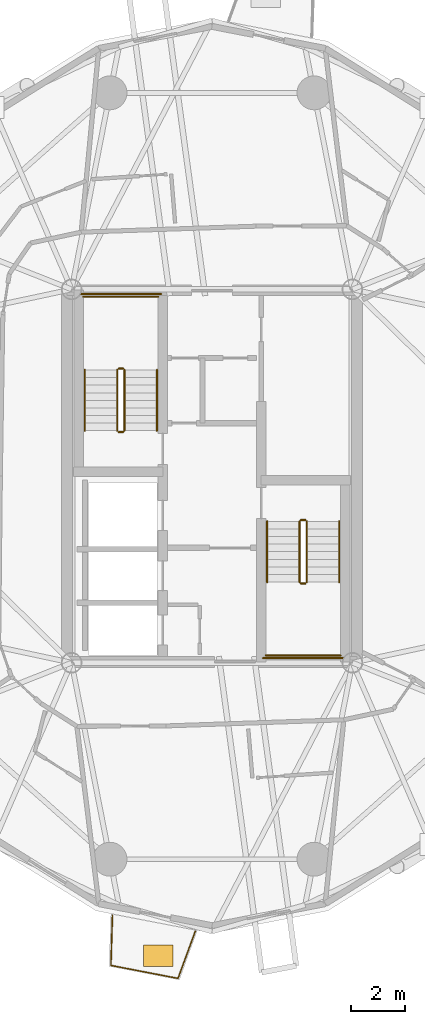
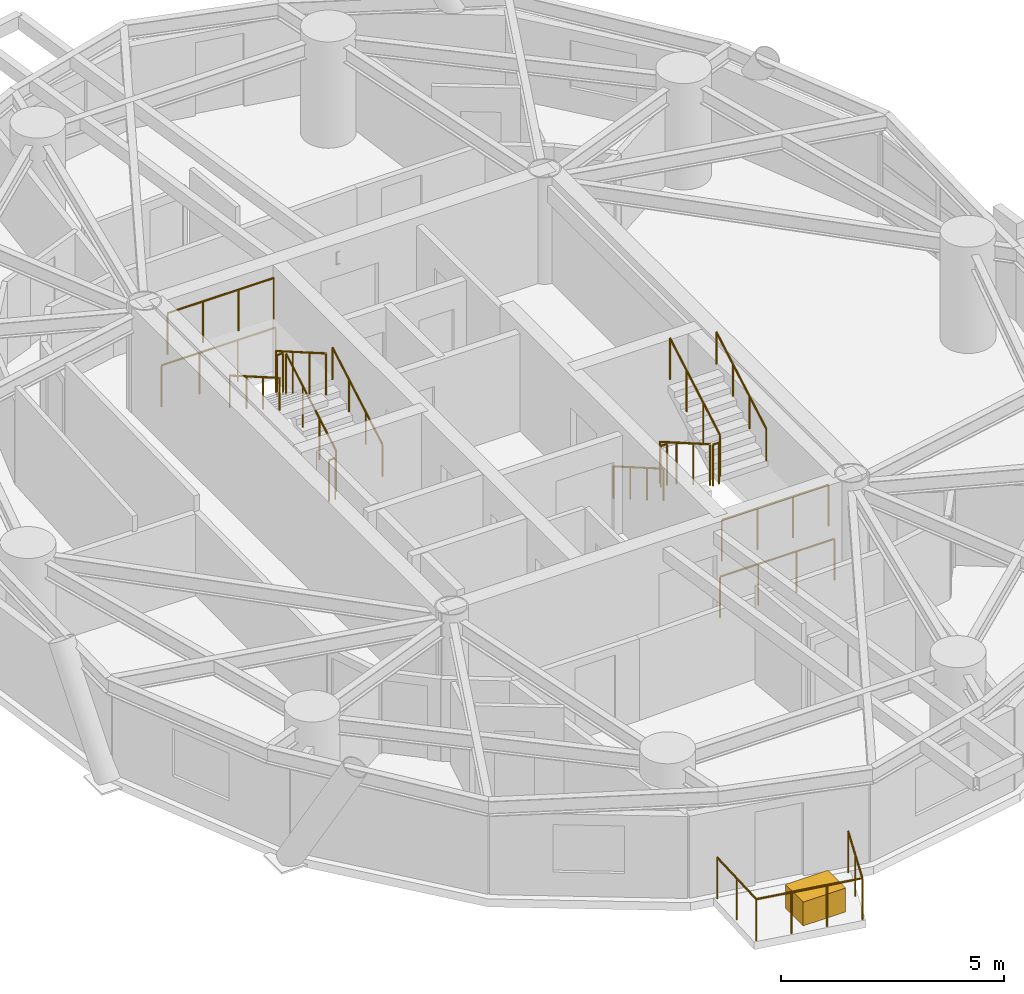
# One storey, part 17 of 19: 17 railings, 1 covering.
"""IFC4 building model written with IfcOpenShell, lengths in metres."""

from ifc_helpers import new_model, si_unit, direction, frame, origin, origin_2d, place, context, subcontext, project, spatial, rectangle, circle, extrude, source, transform, mapped, material, layer, layer_set, type_object, element, save


model = new_model("IFC4")

# Units and contexts
model_context = context("Model", 3, precision=1e-05, world=origin(), true_north=direction((0.0, 1.0)))
body_context = subcontext(model_context, "Body", "Model", "MODEL_VIEW")
ifc_project = project(units=[si_unit("LENGTHUNIT", "METRE"), si_unit("AREAUNIT", "SQUARE_METRE"), si_unit("VOLUMEUNIT", "CUBIC_METRE"), si_unit("PLANEANGLEUNIT", "RADIAN"), si_unit("MASSUNIT", "GRAM", prefix="KILO")], contexts=[model_context])

# Site, building, storey
site_placement = place(None, origin())
site = spatial("IfcSite", under=ifc_project, at=site_placement, CompositionType="ELEMENT")
building_placement = place(site_placement, origin())
building = spatial("IfcBuilding", under=site, at=building_placement, Name="Cununo Teusaquillo Station Towers", CompositionType="ELEMENT")
storey_placement = place(building_placement, frame((0.0, 0.0, 177.7900390625)))
storey = spatial("IfcBuildingStorey", under=building, at=storey_placement, Name="L56", CompositionType="ELEMENT", Elevation=177.7900390625)

# Railings
ifc_material_1 = material(Name="Anodised dark bronze aluminium EN AW-6063-T6", Category="aluminium")
railing_type_1 = type_object("IfcRailingType", Name="RL-EXT-GUARD", PredefinedType="GUARDRAIL", material=ifc_material_1)
railing_1_placement = place(storey_placement, frame((15.883544921875, 7.72265625, 0.0)))
element("IfcRailing", 1, at=railing_1_placement, inside=storey, type_object=railing_type_1, Name="L56 Tower A Balcony Guardrail C14", PredefinedType="GUARDRAIL", context=body_context, shape_type="SweptSolid", body=[
    extrude(circle(Radius=0.02392578125, at=origin_2d()), frame((0.0, 0.0, 1.1259765625), z_axis=(-0.3440608985, -0.938947335117, 0.0), x_axis=(0.938947335117, -0.3440608985, 0.0)), (0.0, 0.0, 1.0), 1.851318359375),
    extrude(circle(Radius=0.02392578125, at=origin_2d()), frame((-0.636962890625, -1.73828125, 1.1259765625), z_axis=(-0.981842829823, 0.189696224332, 0.0), x_axis=(-0.189696224332, -0.981842829823, 0.0)), (0.0, 0.0, 1.0), 2.517333984375),
    extrude(circle(Radius=0.02392578125, at=origin_2d()), frame((-3.108642578125, -1.2607421875, 1.1259765625), z_axis=(0.030460792522, 0.999535962394, 0.0), x_axis=(-0.999535962394, 0.030460792522, 0.0)), (0.0, 0.0, 1.0), 1.8515625),
    extrude(circle(Radius=0.02099609375, at=origin_2d()), origin(), (0.0, 0.0, 1.0), 1.101806640625),
    extrude(circle(Radius=0.02099609375, at=origin_2d()), frame((-0.318359375, -0.869140625, 0.0)), (0.0, 0.0, 1.0), 1.101806640625),
    extrude(circle(Radius=0.02099609375, at=origin_2d()), frame((-0.636962890625, -1.73828125, 0.0)), (0.0, 0.0, 1.0), 1.101806640625),
    extrude(circle(Radius=0.02099609375, at=origin_2d()), frame((-1.4609375, -1.5791015625, 0.0)), (0.0, 0.0, 1.0), 1.101806640625),
    extrude(circle(Radius=0.02099609375, at=origin_2d()), frame((-2.28466796875, -1.419921875, 0.0)), (0.0, 0.0, 1.0), 1.101806640625),
    extrude(circle(Radius=0.02099609375, at=origin_2d()), frame((-3.108642578125, -1.2607421875, 0.0)), (0.0, 0.0, 1.0), 1.101806640625),
    extrude(circle(Radius=0.02099609375, at=origin_2d()), frame((-3.08056640625, -0.33544921875, 0.0)), (0.0, 0.0, 1.0), 1.101806640625),
    extrude(circle(Radius=0.02099609375, at=origin_2d()), frame((-3.05224609375, 0.58984375, 0.0)), (0.0, 0.0, 1.0), 1.101806640625),
])
ifc_material_2 = material(Name="Steel EN 10025-2 S355J2", Category="steel")
railing_type_2 = type_object("IfcRailingType", Name="RL-INT-GUARD", PredefinedType="GUARDRAIL", material=ifc_material_2)
railing_2_placement = place(storey_placement, frame((13.27001953125, 26.169921875, 0.16162109375)))
element("IfcRailing", 2, at=railing_2_placement, inside=storey, type_object=railing_type_2, Name="L56 ST-T1-1 stair guard 1", PredefinedType="GUARDRAIL", context=body_context, shape_type="SweptSolid", body=[
    extrude(circle(Radius=0.02392578125, at=origin_2d()), frame((0.0, 0.0, 1.1259765625), z_axis=(0.0, 0.865992244559, 0.500057429065), x_axis=(-1.0, 0.0, 0.0)), (0.0, 0.0, 1.0), 2.586669921875),
    extrude(circle(Radius=0.02099609375, at=origin_2d()), origin(), (0.0, 0.0, 1.0), 1.101806640625),
    extrude(circle(Radius=0.02099609375, at=origin_2d()), frame((0.0, 0.74658203125, 0.43115234375)), (0.0, 0.0, 1.0), 1.101806640625),
    extrude(circle(Radius=0.02099609375, at=origin_2d()), frame((0.0, 1.493408203125, 0.8623046875)), (0.0, 0.0, 1.0), 1.101806640625),
    extrude(circle(Radius=0.02099609375, at=origin_2d()), frame((0.0, 2.239990234375, 1.29345703125)), (0.0, 0.0, 1.0), 1.101806640625),
])
railing_3_placement = place(storey_placement, frame((13.219970703125, 28.4599609375, 1.455078125)))
element("IfcRailing", 3, at=railing_3_placement, inside=storey, type_object=railing_type_2, Name="L56 ST-T1-1 stair guard 2", PredefinedType="GUARDRAIL", context=body_context, shape_type="SweptSolid", body=[
    extrude(circle(Radius=0.02392578125, at=origin_2d()), frame((0.0, 0.0, 1.1259765625), z_axis=(-1.0, 0.0, 0.0), x_axis=(0.0, -1.0, 0.0)), (0.0, 0.0, 1.0), 0.159912109375),
    extrude(circle(Radius=0.02099609375, at=origin_2d()), origin(), (0.0, 0.0, 1.0), 1.101806640625),
    extrude(circle(Radius=0.02099609375, at=origin_2d()), frame((-0.159912109375, 0.0, 0.0)), (0.0, 0.0, 1.0), 1.101806640625),
])
railing_4_placement = place(storey_placement, frame((14.52001953125, 31.110107421875, 1.455078125)))
element("IfcRailing", 4, at=railing_4_placement, inside=storey, type_object=railing_type_2, Name="L56 ST-T1-1 stair guard 3", PredefinedType="GUARDRAIL", context=body_context, shape_type="SweptSolid", body=[
    extrude(circle(Radius=0.02392578125, at=origin_2d()), frame((0.0, 0.0, 1.1259765625), z_axis=(-1.0, 0.0, 0.0), x_axis=(0.0, -1.0, 0.0)), (0.0, 0.0, 1.0), 2.760009765625),
    extrude(circle(Radius=0.02099609375, at=origin_2d()), origin(), (0.0, 0.0, 1.0), 1.101806640625),
    extrude(circle(Radius=0.02099609375, at=origin_2d()), frame((-0.919921875, 0.0, 0.0)), (0.0, 0.0, 1.0), 1.101806640625),
    extrude(circle(Radius=0.02099609375, at=origin_2d()), frame((-1.840087890625, 0.0, 0.0)), (0.0, 0.0, 1.0), 1.101806640625),
    extrude(circle(Radius=0.02099609375, at=origin_2d()), frame((-2.760009765625, 0.0, 0.0)), (0.0, 0.0, 1.0), 1.101806640625),
])
railing_5_placement = place(storey_placement, frame((13.010009765625, 28.409912109375, 1.61669921875)))
element("IfcRailing", 5, at=railing_5_placement, inside=storey, type_object=railing_type_2, Name="L56 ST-T1-1 stair guard 4", PredefinedType="GUARDRAIL", context=body_context, shape_type="SweptSolid", body=[
    extrude(circle(Radius=0.02392578125, at=origin_2d()), frame((0.0, 0.0, 1.1259765625), z_axis=(0.0, -0.866033117094, 0.499986639918), x_axis=(1.0, 0.0, 0.0)), (0.0, 0.0, 1.0), 2.58642578125),
    extrude(circle(Radius=0.02099609375, at=origin_2d()), origin(), (0.0, 0.0, 1.0), 1.101806640625),
    extrude(circle(Radius=0.02099609375, at=origin_2d()), frame((0.0, -0.74658203125, 0.43115234375)), (0.0, 0.0, 1.0), 1.101806640625),
    extrude(circle(Radius=0.02099609375, at=origin_2d()), frame((0.0, -1.493408203125, 0.862060546875)), (0.0, 0.0, 1.0), 1.101806640625),
    extrude(circle(Radius=0.02099609375, at=origin_2d()), frame((0.0, -2.239990234375, 1.293212890625)), (0.0, 0.0, 1.0), 1.101806640625),
])
railing_6_placement = place(storey_placement, frame((13.219970703125, 26.1201171875, 0.0)))
element("IfcRailing", 6, at=railing_6_placement, inside=storey, type_object=railing_type_2, Name="L56 ST-T1-1 stair guard 5", PredefinedType="GUARDRAIL", context=body_context, shape_type="SweptSolid", body=[
    extrude(circle(Radius=0.02392578125, at=origin_2d()), frame((0.0, 0.0, 1.1259765625), z_axis=(-1.0, 0.0, 0.0), x_axis=(0.0, -1.0, 0.0)), (0.0, 0.0, 1.0), 0.159912109375),
    extrude(circle(Radius=0.02099609375, at=origin_2d()), origin(), (0.0, 0.0, 1.0), 1.101806640625),
    extrude(circle(Radius=0.02099609375, at=origin_2d()), frame((-0.159912109375, 0.0, 0.0)), (0.0, 0.0, 1.0), 1.101806640625),
])
railing_7_placement = place(storey_placement, frame((14.6201171875, 31.2099609375, 0.0)))
element("IfcRailing", 7, at=railing_7_placement, inside=storey, type_object=railing_type_2, Name="L56 ST-T1-1 stair guard 6", PredefinedType="GUARDRAIL", context=body_context, shape_type="SweptSolid", body=[
    extrude(circle(Radius=0.02392578125, at=origin_2d()), frame((0.0, 0.0, 1.1259765625), z_axis=(-1.0, 0.0, 0.0), x_axis=(0.0, -1.0, 0.0)), (0.0, 0.0, 1.0), 2.960205078125),
    extrude(circle(Radius=0.02099609375, at=origin_2d()), origin(), (0.0, 0.0, 1.0), 1.101806640625),
    extrude(circle(Radius=0.02099609375, at=origin_2d()), frame((-0.98681640625, 0.0, 0.0)), (0.0, 0.0, 1.0), 1.101806640625),
    extrude(circle(Radius=0.02099609375, at=origin_2d()), frame((-1.973388671875, 0.0, 0.0)), (0.0, 0.0, 1.0), 1.101806640625),
    extrude(circle(Radius=0.02099609375, at=origin_2d()), frame((-2.960205078125, 0.0, 0.0)), (0.0, 0.0, 1.0), 1.101806640625),
])
railing_8_placement = place(storey_placement, frame((19.72998046875, 22.830078125, 0.16162109375)))
element("IfcRailing", 8, at=railing_8_placement, inside=storey, type_object=railing_type_2, Name="L56 ST-T1-2 stair guard 1", PredefinedType="GUARDRAIL", context=body_context, shape_type="SweptSolid", body=[
    extrude(circle(Radius=0.02392578125, at=origin_2d()), frame((0.0, 0.0, 1.1259765625), z_axis=(0.0, -0.865992244559, 0.500057429065), x_axis=(1.0, 0.0, 0.0)), (0.0, 0.0, 1.0), 2.586669921875),
    extrude(circle(Radius=0.02099609375, at=origin_2d()), origin(), (0.0, 0.0, 1.0), 1.101806640625),
    extrude(circle(Radius=0.02099609375, at=origin_2d()), frame((0.0, -0.74658203125, 0.43115234375)), (0.0, 0.0, 1.0), 1.101806640625),
    extrude(circle(Radius=0.02099609375, at=origin_2d()), frame((0.0, -1.493408203125, 0.8623046875)), (0.0, 0.0, 1.0), 1.101806640625),
    extrude(circle(Radius=0.02099609375, at=origin_2d()), frame((0.0, -2.239990234375, 1.29345703125)), (0.0, 0.0, 1.0), 1.101806640625),
])
railing_9_placement = place(storey_placement, frame((19.780029296875, 20.5400390625, 1.455078125)))
element("IfcRailing", 9, at=railing_9_placement, inside=storey, type_object=railing_type_2, Name="L56 ST-T1-2 stair guard 2", PredefinedType="GUARDRAIL", context=body_context, shape_type="SweptSolid", body=[
    extrude(circle(Radius=0.02392578125, at=origin_2d()), frame((0.0, 0.0, 1.1259765625), z_axis=(1.0, 0.0, 0.0), x_axis=(0.0, 1.0, 0.0)), (0.0, 0.0, 1.0), 0.159912109375),
    extrude(circle(Radius=0.02099609375, at=origin_2d()), origin(), (0.0, 0.0, 1.0), 1.101806640625),
    extrude(circle(Radius=0.02099609375, at=origin_2d()), frame((0.159912109375, 0.0, 0.0)), (0.0, 0.0, 1.0), 1.101806640625),
])
railing_10_placement = place(storey_placement, frame((18.47998046875, 17.889892578125, 1.455078125)))
element("IfcRailing", 10, at=railing_10_placement, inside=storey, type_object=railing_type_2, Name="L56 ST-T1-2 stair guard 3", PredefinedType="GUARDRAIL", context=body_context, shape_type="SweptSolid", body=[
    extrude(circle(Radius=0.02392578125, at=origin_2d()), frame((0.0, 0.0, 1.1259765625), z_axis=(1.0, 0.0, 0.0), x_axis=(0.0, 1.0, 0.0)), (0.0, 0.0, 1.0), 2.760009765625),
    extrude(circle(Radius=0.02099609375, at=origin_2d()), origin(), (0.0, 0.0, 1.0), 1.101806640625),
    extrude(circle(Radius=0.02099609375, at=origin_2d()), frame((0.919921875, 0.0, 0.0)), (0.0, 0.0, 1.0), 1.101806640625),
    extrude(circle(Radius=0.02099609375, at=origin_2d()), frame((1.840087890625, 0.0, 0.0)), (0.0, 0.0, 1.0), 1.101806640625),
    extrude(circle(Radius=0.02099609375, at=origin_2d()), frame((2.760009765625, 0.0, 0.0)), (0.0, 0.0, 1.0), 1.101806640625),
])
railing_11_placement = place(storey_placement, frame((19.989990234375, 20.590087890625, 1.61669921875)))
element("IfcRailing", 11, at=railing_11_placement, inside=storey, type_object=railing_type_2, Name="L56 ST-T1-2 stair guard 4", PredefinedType="GUARDRAIL", context=body_context, shape_type="SweptSolid", body=[
    extrude(circle(Radius=0.02392578125, at=origin_2d()), frame((0.0, 0.0, 1.1259765625), z_axis=(0.0, 0.866033117094, 0.499986639918), x_axis=(-1.0, 0.0, 0.0)), (0.0, 0.0, 1.0), 2.58642578125),
    extrude(circle(Radius=0.02099609375, at=origin_2d()), origin(), (0.0, 0.0, 1.0), 1.101806640625),
    extrude(circle(Radius=0.02099609375, at=origin_2d()), frame((0.0, 0.74658203125, 0.43115234375)), (0.0, 0.0, 1.0), 1.101806640625),
    extrude(circle(Radius=0.02099609375, at=origin_2d()), frame((0.0, 1.493408203125, 0.862060546875)), (0.0, 0.0, 1.0), 1.101806640625),
    extrude(circle(Radius=0.02099609375, at=origin_2d()), frame((0.0, 2.239990234375, 1.293212890625)), (0.0, 0.0, 1.0), 1.101806640625),
])
railing_12_placement = place(storey_placement, frame((19.780029296875, 22.8798828125, 0.0)))
element("IfcRailing", 12, at=railing_12_placement, inside=storey, type_object=railing_type_2, Name="L56 ST-T1-2 stair guard 5", PredefinedType="GUARDRAIL", context=body_context, shape_type="SweptSolid", body=[
    extrude(circle(Radius=0.02392578125, at=origin_2d()), frame((0.0, 0.0, 1.1259765625), z_axis=(1.0, 0.0, 0.0), x_axis=(0.0, 1.0, 0.0)), (0.0, 0.0, 1.0), 0.159912109375),
    extrude(circle(Radius=0.02099609375, at=origin_2d()), origin(), (0.0, 0.0, 1.0), 1.101806640625),
    extrude(circle(Radius=0.02099609375, at=origin_2d()), frame((0.159912109375, 0.0, 0.0)), (0.0, 0.0, 1.0), 1.101806640625),
])
railing_13_placement = place(storey_placement, frame((18.3798828125, 17.7900390625, 0.0)))
element("IfcRailing", 13, at=railing_13_placement, inside=storey, type_object=railing_type_2, Name="L56 ST-T1-2 stair guard 6", PredefinedType="GUARDRAIL", context=body_context, shape_type="SweptSolid", body=[
    extrude(circle(Radius=0.02392578125, at=origin_2d()), frame((0.0, 0.0, 1.1259765625), z_axis=(1.0, 0.0, 0.0), x_axis=(0.0, 1.0, 0.0)), (0.0, 0.0, 1.0), 2.960205078125),
    extrude(circle(Radius=0.02099609375, at=origin_2d()), origin(), (0.0, 0.0, 1.0), 1.101806640625),
    extrude(circle(Radius=0.02099609375, at=origin_2d()), frame((0.98681640625, 0.0, 0.0)), (0.0, 0.0, 1.0), 1.101806640625),
    extrude(circle(Radius=0.02099609375, at=origin_2d()), frame((1.973388671875, 0.0, 0.0)), (0.0, 0.0, 1.0), 1.101806640625),
    extrude(circle(Radius=0.02099609375, at=origin_2d()), frame((2.960205078125, 0.0, 0.0)), (0.0, 0.0, 1.0), 1.101806640625),
])
ifc_material_3 = material(Name="Steel EN 10025-2 S355J2", Category="steel")
railing_type_3 = type_object("IfcRailingType", Name="RL-INT-HRAIL", PredefinedType="HANDRAIL", material=ifc_material_3)
railing_14_placement = place(storey_placement, frame((14.469970703125, 26.169921875, 0.16162109375)))
element("IfcRailing", 14, at=railing_14_placement, inside=storey, type_object=railing_type_3, Name="L56 ST-T1-1 stair handrail 1", PredefinedType="HANDRAIL", context=body_context, shape_type="SweptSolid", body=[
    extrude(circle(Radius=0.02392578125, at=origin_2d()), frame((0.0, 0.0, 0.8759765625), z_axis=(0.0, 0.865992244559, 0.500057429065), x_axis=(-1.0, 0.0, 0.0)), (0.0, 0.0, 1.0), 2.586669921875),
    extrude(circle(Radius=0.02099609375, at=origin_2d()), origin(), (0.0, 0.0, 1.0), 0.851806640625),
    extrude(circle(Radius=0.02099609375, at=origin_2d()), frame((0.0, 0.74658203125, 0.43115234375)), (0.0, 0.0, 1.0), 0.851806640625),
    extrude(circle(Radius=0.02099609375, at=origin_2d()), frame((0.0, 1.493408203125, 0.8623046875)), (0.0, 0.0, 1.0), 0.851806640625),
    extrude(circle(Radius=0.02099609375, at=origin_2d()), frame((0.0, 2.239990234375, 1.29345703125)), (0.0, 0.0, 1.0), 0.851806640625),
])
railing_15_placement = place(storey_placement, frame((11.81005859375, 28.409912109375, 1.61669921875)))
element("IfcRailing", 15, at=railing_15_placement, inside=storey, type_object=railing_type_3, Name="L56 ST-T1-1 stair handrail 2", PredefinedType="HANDRAIL", context=body_context, shape_type="SweptSolid", body=[
    extrude(circle(Radius=0.02392578125, at=origin_2d()), frame((0.0, 0.0, 0.8759765625), z_axis=(0.0, -0.866033117094, 0.499986639918), x_axis=(1.0, 0.0, 0.0)), (0.0, 0.0, 1.0), 2.58642578125),
    extrude(circle(Radius=0.02099609375, at=origin_2d()), origin(), (0.0, 0.0, 1.0), 0.851806640625),
    extrude(circle(Radius=0.02099609375, at=origin_2d()), frame((0.0, -0.74658203125, 0.43115234375)), (0.0, 0.0, 1.0), 0.851806640625),
    extrude(circle(Radius=0.02099609375, at=origin_2d()), frame((0.0, -1.493408203125, 0.862060546875)), (0.0, 0.0, 1.0), 0.851806640625),
    extrude(circle(Radius=0.02099609375, at=origin_2d()), frame((0.0, -2.239990234375, 1.293212890625)), (0.0, 0.0, 1.0), 0.851806640625),
])
railing_16_placement = place(storey_placement, frame((18.530029296875, 22.830078125, 0.16162109375)))
element("IfcRailing", 16, at=railing_16_placement, inside=storey, type_object=railing_type_3, Name="L56 ST-T1-2 stair handrail 1", PredefinedType="HANDRAIL", context=body_context, shape_type="SweptSolid", body=[
    extrude(circle(Radius=0.02392578125, at=origin_2d()), frame((0.0, 0.0, 0.8759765625), z_axis=(0.0, -0.865992244559, 0.500057429065), x_axis=(1.0, 0.0, 0.0)), (0.0, 0.0, 1.0), 2.586669921875),
    extrude(circle(Radius=0.02099609375, at=origin_2d()), origin(), (0.0, 0.0, 1.0), 0.851806640625),
    extrude(circle(Radius=0.02099609375, at=origin_2d()), frame((0.0, -0.74658203125, 0.43115234375)), (0.0, 0.0, 1.0), 0.851806640625),
    extrude(circle(Radius=0.02099609375, at=origin_2d()), frame((0.0, -1.493408203125, 0.8623046875)), (0.0, 0.0, 1.0), 0.851806640625),
    extrude(circle(Radius=0.02099609375, at=origin_2d()), frame((0.0, -2.239990234375, 1.29345703125)), (0.0, 0.0, 1.0), 0.851806640625),
])
railing_17_placement = place(storey_placement, frame((21.18994140625, 20.590087890625, 1.61669921875)))
element("IfcRailing", 17, at=railing_17_placement, inside=storey, type_object=railing_type_3, Name="L56 ST-T1-2 stair handrail 2", PredefinedType="HANDRAIL", context=body_context, shape_type="SweptSolid", body=[
    extrude(circle(Radius=0.02392578125, at=origin_2d()), frame((0.0, 0.0, 0.8759765625), z_axis=(0.0, 0.866033117094, 0.499986639918), x_axis=(-1.0, 0.0, 0.0)), (0.0, 0.0, 1.0), 2.58642578125),
    extrude(circle(Radius=0.02099609375, at=origin_2d()), origin(), (0.0, 0.0, 1.0), 0.851806640625),
    extrude(circle(Radius=0.02099609375, at=origin_2d()), frame((0.0, 0.74658203125, 0.43115234375)), (0.0, 0.0, 1.0), 0.851806640625),
    extrude(circle(Radius=0.02099609375, at=origin_2d()), frame((0.0, 1.493408203125, 0.862060546875)), (0.0, 0.0, 1.0), 0.851806640625),
    extrude(circle(Radius=0.02099609375, at=origin_2d()), frame((0.0, 2.239990234375, 1.293212890625)), (0.0, 0.0, 1.0), 0.851806640625),
])

# Covering
ifc_material_4 = material(Name="Architectural GRC planter shell and engineered root-zone substrate", Category="concrete")
ifc_layer = layer(ifc_material_4, 0.64990234375)
ifc_layer_set = layer_set([ifc_layer], Name="Architectural GRC planter shell and engineered root-zone substrate")
covering_type = type_object("IfcCoveringType", Name="COV-TREE-PLANTER", PredefinedType="CLADDING", material=ifc_layer_set)
shared_shape = source(origin(), body_context, "Body", "SweptSolid", [
    extrude(rectangle(XDim=1.10009765625, YDim=0.800048828125, at=origin_2d()), origin(), (0.0, 0.0, 1.0), 0.64990234375),
])
covering_placement = place(storey_placement, frame((14.51904296875, 6.82421875, 0.0), z_axis=(0.0, 0.0, 1.0), x_axis=(1.0, 0.0, 0.0)))
element("IfcCovering", 18, at=covering_placement, inside=storey, type_object=covering_type, Name="L56 Tower A Balcony Tree PLANTER C14", PredefinedType="CLADDING", context=body_context, shape_type="MappedRepresentation", body=[
    mapped(shared_shape, transform((0.0, 0.0, 0.0), x_axis=(1.0, 0.0, 0.0), y_axis=(0.0, 1.0, 0.0), z_axis=(0.0, 0.0, 1.0), scale=1.0)),
])

save(model, "model.ifc")
